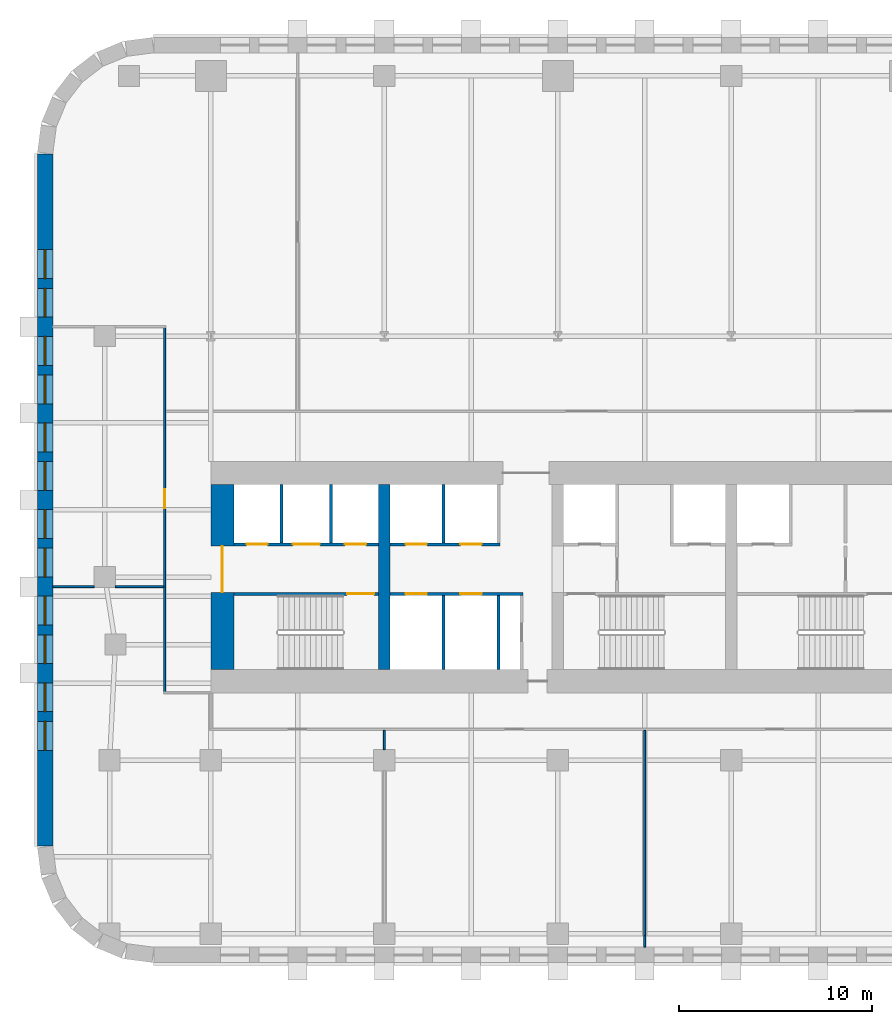
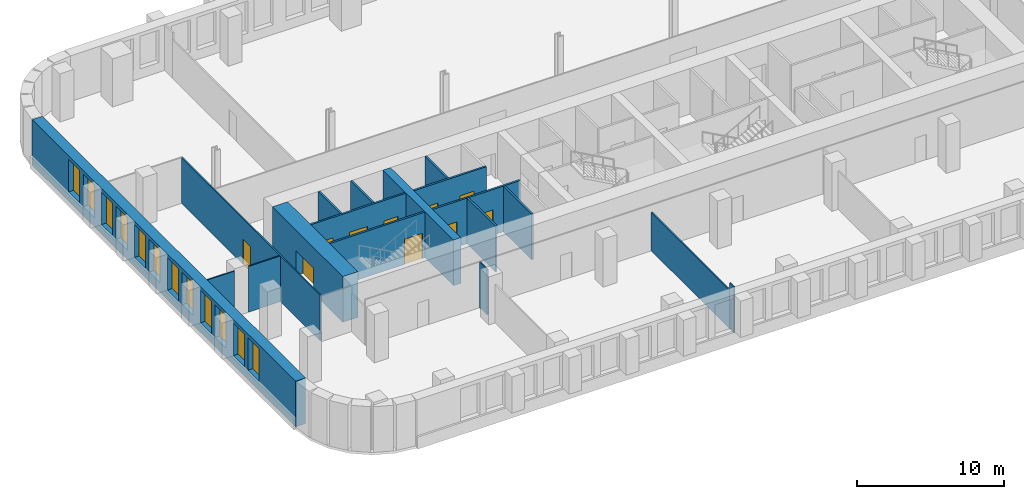
# One storey, part 3 of 11: 18 walls, 12 windows, 10 doors, 22 openings.
"""IFC4 building model written with IfcOpenShell, lengths in metres."""

from ifc_helpers import new_model, si_unit, direction, frame, frame_2d, origin, place, context, subcontext, project, spatial, rectangle, extrude, material, layer, layer_set, type_object, element, fill, save


model = new_model("IFC4")

# Units and contexts
model_context = context("Model", 3, precision=1e-05, world=origin(), true_north=direction((0.0, 1.0)))
body_context = subcontext(model_context, "Body", "Model", "MODEL_VIEW")
ifc_project = project(units=[si_unit("LENGTHUNIT", "METRE"), si_unit("AREAUNIT", "SQUARE_METRE"), si_unit("VOLUMEUNIT", "CUBIC_METRE"), si_unit("PLANEANGLEUNIT", "RADIAN"), si_unit("MASSUNIT", "GRAM", prefix="KILO")], contexts=[model_context])

# Site, building, storey
site_placement = place(None, origin())
site = spatial("IfcSite", under=ifc_project, at=site_placement, CompositionType="ELEMENT")
building_placement = place(site_placement, origin())
building = spatial("IfcBuilding", under=site, at=building_placement, Name="Zellij Exchange Tower", CompositionType="ELEMENT")
storey_placement = place(building_placement, frame((0.0, 0.0, 56.5)))
storey = spatial("IfcBuildingStorey", under=building, at=storey_placement, Name="L10", CompositionType="ELEMENT", Elevation=56.5)

# Walls
ifc_material_1 = material(Name="Concrete C70/85", Category="concrete")
ifc_layer_1 = layer(ifc_material_1, 0.60009765625)
ifc_layer_set_1 = layer_set([ifc_layer_1], Name="Concrete C70/85")
wall_type_1 = type_object("IfcWallType", Name="CORE-CW 600 C70/85", PredefinedType="SHEAR", material=ifc_layer_set_1)
wall_1_placement = place(storey_placement, frame((-18.0, -12.800048828125, 0.0), z_axis=(0.0, 0.0, 1.0), x_axis=(0.0, 1.0, 0.0)))
element("IfcWall", 1, at=wall_1_placement, inside=storey, type_object=wall_type_1, Name="Core cross wall x -18 L10", PredefinedType="SHEAR", context=body_context, shape_type="SweptSolid", body=[
    extrude(rectangle(XDim=9.60009765625, YDim=0.60009765625, at=frame_2d((4.800048828125, 0.0))), origin(), (0.0, 0.0, 1.0), 3.800048828125),
])
ifc_material_2 = material(Name="Gypsum shaft wall system")
ifc_layer_2 = layer(ifc_material_2, 0.14990234375)
ifc_layer_set_2 = layer_set([ifc_layer_2], Name="Gypsum shaft wall system")
wall_type_2 = type_object("IfcWallType", Name="CORE-PW 150 Lift shaft wall", PredefinedType="PARTITIONING", material=ifc_layer_set_2)
for number, where, z_axis, x_axis, name in (
    (2, (-20.77490234375, -6.22509765625, 0.0), (0.0, 0.0, 1.0), (0.0, 1.0, 0.0), "Lift shaft wall L10"),
    (3, (-23.324951171875, -6.22509765625, 0.0), (0.0, 0.0, 1.0), (0.0, 1.0, 0.0), "Lift shaft wall L10"),
    (4, (-14.925048828125, -6.22509765625, 0.0), (0.0, 0.0, 1.0), (0.0, 1.0, 0.0), "Lift shaft wall L10"),
):
    element("IfcWall", number, at=place(storey_placement, frame(where, z_axis=z_axis, x_axis=x_axis)), inside=storey, type_object=wall_type_2, Name=name, PredefinedType="PARTITIONING", context=body_context, shape_type="SweptSolid", body=[
        extrude(rectangle(XDim=3.025146484375, YDim=0.14990234375, at=frame_2d((1.5126953125, 0.0))), origin(), (0.0, 0.0, 1.0), 3.800048828125),
    ])
for number, where, z_axis, x_axis, name in (
    (5, (-12.074951171875, -12.800048828125, 0.0), (0.0, 0.0, 1.0), (0.0, 1.0, 0.0), "Lift shaft wall L10"),
    (6, (-14.925048828125, -12.800048828125, 0.0), (0.0, 0.0, 1.0), (0.0, 1.0, 0.0), "Lift shaft wall L10"),
):
    element("IfcWall", number, at=place(storey_placement, frame(where, z_axis=z_axis, x_axis=x_axis)), inside=storey, type_object=wall_type_2, Name=name, PredefinedType="PARTITIONING", context=body_context, shape_type="SweptSolid", body=[
        extrude(rectangle(XDim=3.85009765625, YDim=0.14990234375, at=frame_2d((1.925048828125, 0.0))), origin(), (0.0, 0.0, 1.0), 3.800048828125),
    ])

# Wall, openings, doors
wall_2_placement = place(storey_placement, frame((-25.800048828125, -6.300048828125, 0.0), z_axis=(0.0, 0.0, 1.0), x_axis=(1.0, 0.0, 0.0)))
wall_2 = element("IfcWall", 7, at=wall_2_placement, inside=storey, type_object=wall_type_2, Name="Lift shaft wall L10", PredefinedType="PARTITIONING", context=body_context, shape_type="SweptSolid", body=[
    extrude(rectangle(XDim=7.5, YDim=0.14990234375, at=frame_2d((3.75, 0.0))), origin(), (0.0, 0.0, 1.0), 3.800048828125),
])
opening_1_placement = place(wall_2_placement, frame((0.64990234375, 0.0, 0.0)))
opening_1 = element("IfcOpeningElement", 8, at=opening_1_placement, cuts=wall_2, Name="Opening CA-07.02", PredefinedType="OPENING", context=body_context, shape_type="SweptSolid", body=[
    extrude(rectangle(XDim=1.10009765625, YDim=2.10009765625, at=frame_2d((0.550048828125, 1.050048828125))), frame((0.0, 0.0869140625, 0.0), z_axis=(0.0, -1.0, 0.0), x_axis=(1.0, 0.0, 0.0)), (0.0, 0.0, 1.0), 0.173828125),
])
opening_2_placement = place(wall_2_placement, frame((3.050048828125, 0.0, 0.0)))
opening_2 = element("IfcOpeningElement", 9, at=opening_2_placement, cuts=wall_2, Name="Opening CA-07.03", PredefinedType="OPENING", context=body_context, shape_type="SweptSolid", body=[
    extrude(rectangle(XDim=1.39990234375, YDim=2.10009765625, at=frame_2d((0.699951171875, 1.050048828125))), frame((0.0, 0.0869140625, 0.0), z_axis=(0.0, -1.0, 0.0), x_axis=(1.0, 0.0, 0.0)), (0.0, 0.0, 1.0), 0.173828125),
])
opening_3_placement = place(wall_2_placement, frame((5.75, 0.0, 0.0)))
opening_3 = element("IfcOpeningElement", 10, at=opening_3_placement, cuts=wall_2, Name="Opening CA-07.04", PredefinedType="OPENING", context=body_context, shape_type="SweptSolid", body=[
    extrude(rectangle(XDim=1.10009765625, YDim=2.10009765625, at=frame_2d((0.550048828125, 1.050048828125))), frame((0.0, 0.0869140625, 0.0), z_axis=(0.0, -1.0, 0.0), x_axis=(1.0, 0.0, 0.0)), (0.0, 0.0, 1.0), 0.173828125),
])
ifc_material_3 = material(Name="Hollow metal fire door")
door_type_1 = type_object("IfcDoorType", Name="CORE-D LD Lift landing door 1100x2100 1.5 HR", OperationType="NOTDEFINED", PredefinedType="DOOR", material=ifc_material_3)
door_1_placement = place(opening_1_placement, origin())
door_1 = element("IfcDoor", 11, at=door_1_placement, inside=storey, type_object=door_type_1, Name="Lift landing door CA-07.02", OperationType="SLIDING_TO_RIGHT", OverallHeight=2.10009765625, OverallWidth=1.10009765625, PredefinedType="DOOR", context=body_context, shape_type="SweptSolid", body=[
    extrude(rectangle(XDim=1.10009765625, YDim=2.10009765625, at=frame_2d((0.550048828125, 1.050048828125))), frame((0.0, 0.02490234375, 0.0), z_axis=(0.0, -1.0, 0.0), x_axis=(1.0, 0.0, 0.0)), (0.0, 0.0, 1.0), 0.050048828125),
])
fill(opening_1, door_1)
door_2_placement = place(opening_3_placement, origin())
door_2 = element("IfcDoor", 12, at=door_2_placement, inside=storey, type_object=door_type_1, Name="Lift landing door CA-07.04", OperationType="SLIDING_TO_RIGHT", OverallHeight=2.10009765625, OverallWidth=1.10009765625, PredefinedType="DOOR", context=body_context, shape_type="SweptSolid", body=[
    extrude(rectangle(XDim=1.10009765625, YDim=2.10009765625, at=frame_2d((0.550048828125, 1.050048828125))), frame((0.0, 0.02490234375, 0.0), z_axis=(0.0, -1.0, 0.0), x_axis=(1.0, 0.0, 0.0)), (0.0, 0.0, 1.0), 0.050048828125),
])
fill(opening_3, door_2)
door_type_2 = type_object("IfcDoorType", Name="CORE-D LD2 Service lift landing door 1400x2100 1.5 HR", OperationType="NOTDEFINED", PredefinedType="DOOR", material=ifc_material_3)
door_3_placement = place(opening_2_placement, origin())
door_3 = element("IfcDoor", 13, at=door_3_placement, inside=storey, type_object=door_type_2, Name="Service lift landing door CA-07.03", OperationType="SLIDING_TO_LEFT", OverallHeight=2.10009765625, OverallWidth=1.39990234375, PredefinedType="DOOR", context=body_context, shape_type="SweptSolid", body=[
    extrude(rectangle(XDim=1.39990234375, YDim=2.10009765625, at=frame_2d((0.699951171875, 1.050048828125))), frame((0.0, 0.02490234375, 0.0), z_axis=(0.0, -1.0, 0.0), x_axis=(1.0, 0.0, 0.0)), (0.0, 0.0, 1.0), 0.050048828125),
])
fill(opening_2, door_3)

wall_3_placement = place(storey_placement, frame((-17.699951171875, -6.300048828125, 0.0), z_axis=(0.0, 0.0, 1.0), x_axis=(1.0, 0.0, 0.0)))
wall_3 = element("IfcWall", 14, at=wall_3_placement, inside=storey, type_object=wall_type_2, Name="Lift shaft wall L10", PredefinedType="PARTITIONING", context=body_context, shape_type="SweptSolid", body=[
    extrude(rectangle(XDim=5.699951171875, YDim=0.14990234375, at=frame_2d((2.85009765625, 0.0))), origin(), (0.0, 0.0, 1.0), 3.800048828125),
])
opening_4_placement = place(wall_3_placement, frame((0.800048828125, 0.0, 0.0)))
opening_4 = element("IfcOpeningElement", 15, at=opening_4_placement, cuts=wall_3, Name="Opening CA-07.07", PredefinedType="OPENING", context=body_context, shape_type="SweptSolid", body=[
    extrude(rectangle(XDim=1.10009765625, YDim=2.10009765625, at=frame_2d((0.550048828125, 1.050048828125))), frame((0.0, 0.0869140625, 0.0), z_axis=(0.0, -1.0, 0.0), x_axis=(1.0, 0.0, 0.0)), (0.0, 0.0, 1.0), 0.173828125),
])
opening_5_placement = place(wall_3_placement, frame((3.64990234375, 0.0, 0.0)))
opening_5 = element("IfcOpeningElement", 16, at=opening_5_placement, cuts=wall_3, Name="Opening CA-07.09", PredefinedType="OPENING", context=body_context, shape_type="SweptSolid", body=[
    extrude(rectangle(XDim=1.10009765625, YDim=2.10009765625, at=frame_2d((0.550048828125, 1.050048828125))), frame((0.0, 0.0869140625, 0.0), z_axis=(0.0, -1.0, 0.0), x_axis=(1.0, 0.0, 0.0)), (0.0, 0.0, 1.0), 0.173828125),
])
door_4_placement = place(opening_4_placement, origin())
door_4 = element("IfcDoor", 17, at=door_4_placement, inside=storey, type_object=door_type_1, Name="Lift landing door CA-07.07", OperationType="SLIDING_TO_LEFT", OverallHeight=2.10009765625, OverallWidth=1.10009765625, PredefinedType="DOOR", context=body_context, shape_type="SweptSolid", body=[
    extrude(rectangle(XDim=1.10009765625, YDim=2.10009765625, at=frame_2d((0.550048828125, 1.050048828125))), frame((0.0, 0.02490234375, 0.0), z_axis=(0.0, -1.0, 0.0), x_axis=(1.0, 0.0, 0.0)), (0.0, 0.0, 1.0), 0.050048828125),
])
fill(opening_4, door_4)
door_5_placement = place(opening_5_placement, origin())
door_5 = element("IfcDoor", 18, at=door_5_placement, inside=storey, type_object=door_type_1, Name="Lift landing door CA-07.09", OperationType="SLIDING_TO_LEFT", OverallHeight=2.10009765625, OverallWidth=1.10009765625, PredefinedType="DOOR", context=body_context, shape_type="SweptSolid", body=[
    extrude(rectangle(XDim=1.10009765625, YDim=2.10009765625, at=frame_2d((0.550048828125, 1.050048828125))), frame((0.0, 0.02490234375, 0.0), z_axis=(0.0, -1.0, 0.0), x_axis=(1.0, 0.0, 0.0)), (0.0, 0.0, 1.0), 0.050048828125),
])
fill(opening_5, door_5)

wall_4_placement = place(storey_placement, frame((-17.699951171875, -8.875, 0.0), z_axis=(0.0, 0.0, 1.0), x_axis=(1.0, 0.0, 0.0)))
wall_4 = element("IfcWall", 19, at=wall_4_placement, inside=storey, type_object=wall_type_2, Name="Lift shaft wall L10", PredefinedType="PARTITIONING", context=body_context, shape_type="SweptSolid", body=[
    extrude(rectangle(XDim=6.89990234375, YDim=0.14990234375, at=frame_2d((3.449951171875, 0.0))), origin(), (0.0, 0.0, 1.0), 3.800048828125),
])
opening_6_placement = place(wall_4_placement, frame((0.800048828125, 0.0, 0.0)))
opening_6 = element("IfcOpeningElement", 20, at=opening_6_placement, cuts=wall_4, Name="Opening CA-07.06", PredefinedType="OPENING", context=body_context, shape_type="SweptSolid", body=[
    extrude(rectangle(XDim=1.10009765625, YDim=2.10009765625, at=frame_2d((0.550048828125, 1.050048828125))), frame((0.0, 0.0869140625, 0.0), z_axis=(0.0, -1.0, 0.0), x_axis=(1.0, 0.0, 0.0)), (0.0, 0.0, 1.0), 0.173828125),
])
opening_7_placement = place(wall_4_placement, frame((3.64990234375, 0.0, 0.0)))
opening_7 = element("IfcOpeningElement", 21, at=opening_7_placement, cuts=wall_4, Name="Opening CA-07.08", PredefinedType="OPENING", context=body_context, shape_type="SweptSolid", body=[
    extrude(rectangle(XDim=1.10009765625, YDim=2.10009765625, at=frame_2d((0.550048828125, 1.050048828125))), frame((0.0, 0.0869140625, 0.0), z_axis=(0.0, -1.0, 0.0), x_axis=(1.0, 0.0, 0.0)), (0.0, 0.0, 1.0), 0.173828125),
])
door_6_placement = place(opening_6_placement, origin())
door_6 = element("IfcDoor", 22, at=door_6_placement, inside=storey, type_object=door_type_1, Name="Lift landing door CA-07.06", OperationType="SLIDING_TO_RIGHT", OverallHeight=2.10009765625, OverallWidth=1.10009765625, PredefinedType="DOOR", context=body_context, shape_type="SweptSolid", body=[
    extrude(rectangle(XDim=1.10009765625, YDim=2.10009765625, at=frame_2d((0.550048828125, 1.050048828125))), frame((0.0, 0.02490234375, 0.0), z_axis=(0.0, -1.0, 0.0), x_axis=(1.0, 0.0, 0.0)), (0.0, 0.0, 1.0), 0.050048828125),
])
fill(opening_6, door_6)
door_7_placement = place(opening_7_placement, origin())
door_7 = element("IfcDoor", 23, at=door_7_placement, inside=storey, type_object=door_type_1, Name="Lift landing door CA-07.08", OperationType="SLIDING_TO_RIGHT", OverallHeight=2.10009765625, OverallWidth=1.10009765625, PredefinedType="DOOR", context=body_context, shape_type="SweptSolid", body=[
    extrude(rectangle(XDim=1.10009765625, YDim=2.10009765625, at=frame_2d((0.550048828125, 1.050048828125))), frame((0.0, 0.02490234375, 0.0), z_axis=(0.0, -1.0, 0.0), x_axis=(1.0, 0.0, 0.0)), (0.0, 0.0, 1.0), 0.050048828125),
])
fill(opening_7, door_7)

# Wall, opening, door
ifc_layer_3 = layer(ifc_material_1, 1.199951171875)
ifc_layer_set_3 = layer_set([ifc_layer_3], Name="Concrete C70/85")
wall_type_3 = type_object("IfcWallType", Name="CORE-SW 1200 C70/85", PredefinedType="SHEAR", material=ifc_layer_set_3)
wall_5_placement = place(storey_placement, frame((-26.39990234375, -12.800048828125, 0.0), z_axis=(0.0, 0.0, 1.0), x_axis=(0.0, 1.0, 0.0)))
wall_5 = element("IfcWall", 24, at=wall_5_placement, inside=storey, type_object=wall_type_3, Name="Core shear wall end w L10", PredefinedType="SHEAR", context=body_context, shape_type="SweptSolid", body=[
    extrude(rectangle(XDim=9.60009765625, YDim=1.199951171875, at=frame_2d((4.800048828125, 0.0))), origin(), (0.0, 0.0, 1.0), 3.800048828125),
])
opening_8_placement = place(wall_5_placement, frame((4.011962890625, 0.0, 0.0)))
opening_8 = element("IfcOpeningElement", 25, at=opening_8_placement, cuts=wall_5, Name="Opening CA-07.01", PredefinedType="OPENING", context=body_context, shape_type="SweptSolid", body=[
    extrude(rectangle(XDim=2.39990234375, YDim=2.10009765625, at=frame_2d((1.199951171875, 1.050048828125))), frame((0.0, 0.61181640625, 0.0), z_axis=(0.0, -1.0, 0.0), x_axis=(1.0, 0.0, 0.0)), (0.0, 0.0, 1.0), 1.223876953125),
])
door_type_3 = type_object("IfcDoorType", Name="CORE-D CE Core entrance door 2400x2100 20 MIN", OperationType="NOTDEFINED", PredefinedType="DOOR", material=ifc_material_3)
door_8_placement = place(opening_8_placement, origin())
door_8 = element("IfcDoor", 26, at=door_8_placement, inside=storey, type_object=door_type_3, Name="Core entrance door CA-07.01", OperationType="DOUBLE_DOOR_SINGLE_SWING", OverallHeight=2.10009765625, OverallWidth=2.39990234375, PredefinedType="DOOR", context=body_context, shape_type="SweptSolid", body=[
    extrude(rectangle(XDim=2.39990234375, YDim=2.10009765625, at=frame_2d((1.199951171875, 1.050048828125))), frame((0.0, 0.02490234375, 0.0), z_axis=(0.0, -1.0, 0.0), x_axis=(1.0, 0.0, 0.0)), (0.0, 0.0, 1.0), 0.050048828125),
])
fill(opening_8, door_8)

ifc_layer_4 = layer(ifc_material_1, 0.14990234375)
ifc_layer_set_4 = layer_set([ifc_layer_4], Name="Concrete C70/85")
wall_type_4 = type_object("IfcWallType", Name="CORE-SWS 150 C70/85", PredefinedType="SHEAR", material=ifc_layer_set_4)
wall_6_placement = place(storey_placement, frame((-25.800048828125, -8.875, 0.0), z_axis=(0.0, 0.0, 1.0), x_axis=(1.0, 0.0, 0.0)))
wall_6 = element("IfcWall", 27, at=wall_6_placement, inside=storey, type_object=wall_type_4, Name="Stair enclosure wall L10", PredefinedType="SHEAR", context=body_context, shape_type="SweptSolid", body=[
    extrude(rectangle(XDim=7.5, YDim=0.14990234375, at=frame_2d((3.75, 0.0))), origin(), (0.0, 0.0, 1.0), 3.800048828125),
])
opening_9_placement = place(wall_6_placement, frame((5.875, 0.0, 0.0)))
opening_9 = element("IfcOpeningElement", 28, at=opening_9_placement, cuts=wall_6, Name="Opening CA-07.05", PredefinedType="OPENING", context=body_context, shape_type="SweptSolid", body=[
    extrude(rectangle(XDim=1.39990234375, YDim=2.10009765625, at=frame_2d((0.699951171875, 1.050048828125))), frame((0.0, 0.0869140625, 0.0), z_axis=(0.0, -1.0, 0.0), x_axis=(1.0, 0.0, 0.0)), (0.0, 0.0, 1.0), 0.173828125),
])
door_type_4 = type_object("IfcDoorType", Name="CORE-D SD Stair door 1400x2100 1.5 HR", OperationType="NOTDEFINED", PredefinedType="DOOR", material=ifc_material_3)
door_9_placement = place(opening_9_placement, origin())
door_9 = element("IfcDoor", 29, at=door_9_placement, inside=storey, type_object=door_type_4, Name="Stair door CA-07.05", OperationType="DOUBLE_DOOR_SINGLE_SWING", OverallHeight=2.10009765625, OverallWidth=1.39990234375, PredefinedType="DOOR", context=body_context, shape_type="SweptSolid", body=[
    extrude(rectangle(XDim=1.39990234375, YDim=2.10009765625, at=frame_2d((0.699951171875, 1.050048828125))), frame((0.0, 0.02490234375, 0.0), z_axis=(0.0, -1.0, 0.0), x_axis=(1.0, 0.0, 0.0)), (0.0, 0.0, 1.0), 0.050048828125),
])
fill(opening_9, door_9)

# Wall, openings, windows
ifc_material_4 = material(Name="Precast concrete C40/50", Category="concrete")
ifc_layer_5 = layer(ifc_material_4, 0.800048828125)
ifc_layer_set_5 = layer_set([ifc_layer_5], Name="Precast concrete C40/50")
wall_type_5 = type_object("IfcWallType", Name="ENV-EW1 Precast stone-piered wall 800", PredefinedType="SOLIDWALL", material=ifc_layer_set_5)
wall_7_placement = place(storey_placement, frame((-35.60009765625, 13.947509765625, 0.0), z_axis=(0.0, 0.0, 1.0), x_axis=(0.0, -1.0, 0.0)))
wall_7 = element("IfcWall", 30, at=wall_7_placement, inside=storey, type_object=wall_type_5, Name="fac.L10.21", PredefinedType="SOLIDWALL", context=body_context, shape_type="SweptSolid", body=[
    extrude(rectangle(XDim=35.89501953125, YDim=0.800048828125, at=frame_2d((17.947509765625, 0.0))), origin(), (0.0, 0.0, 1.0), 3.800048828125),
])
opening_10_placement = place(wall_7_placement, frame((4.9638671875, 0.0, 0.800048828125)))
opening_10 = element("IfcOpeningElement", 31, at=opening_10_placement, cuts=wall_7, Name="Opening FZ1.61", PredefinedType="OPENING", context=body_context, shape_type="SweptSolid", body=[
    extrude(rectangle(XDim=1.5, YDim=2.699951171875, at=frame_2d((0.75, 1.35009765625))), frame((0.0, 0.412109375, 0.0), z_axis=(0.0, -1.0, 0.0), x_axis=(1.0, 0.0, 0.0)), (0.0, 0.0, 1.0), 0.823974609375),
])
opening_11_placement = place(wall_7_placement, frame((6.9638671875, 0.0, 0.800048828125)))
opening_11 = element("IfcOpeningElement", 32, at=opening_11_placement, cuts=wall_7, Name="Opening FZ1.62", PredefinedType="OPENING", context=body_context, shape_type="SweptSolid", body=[
    extrude(rectangle(XDim=1.5, YDim=2.699951171875, at=frame_2d((0.75, 1.35009765625))), frame((0.0, 0.412109375, 0.0), z_axis=(0.0, -1.0, 0.0), x_axis=(1.0, 0.0, 0.0)), (0.0, 0.0, 1.0), 0.823974609375),
])
opening_12_placement = place(wall_7_placement, frame((9.45751953125, 0.0, 0.800048828125)))
opening_12 = element("IfcOpeningElement", 33, at=opening_12_placement, cuts=wall_7, Name="Opening FZ1.63", PredefinedType="OPENING", context=body_context, shape_type="SweptSolid", body=[
    extrude(rectangle(XDim=1.5, YDim=2.699951171875, at=frame_2d((0.75, 1.35009765625))), frame((0.0, 0.412109375, 0.0), z_axis=(0.0, -1.0, 0.0), x_axis=(1.0, 0.0, 0.0)), (0.0, 0.0, 1.0), 0.823974609375),
])
opening_13_placement = place(wall_7_placement, frame((11.45751953125, 0.0, 0.800048828125)))
opening_13 = element("IfcOpeningElement", 34, at=opening_13_placement, cuts=wall_7, Name="Opening FZ1.64", PredefinedType="OPENING", context=body_context, shape_type="SweptSolid", body=[
    extrude(rectangle(XDim=1.5, YDim=2.699951171875, at=frame_2d((0.75, 1.35009765625))), frame((0.0, 0.412109375, 0.0), z_axis=(0.0, -1.0, 0.0), x_axis=(1.0, 0.0, 0.0)), (0.0, 0.0, 1.0), 0.823974609375),
])
opening_14_placement = place(wall_7_placement, frame((13.950927734375, 0.0, 0.800048828125)))
opening_14 = element("IfcOpeningElement", 35, at=opening_14_placement, cuts=wall_7, Name="Opening FZ1.65", PredefinedType="OPENING", context=body_context, shape_type="SweptSolid", body=[
    extrude(rectangle(XDim=1.5, YDim=2.699951171875, at=frame_2d((0.75, 1.35009765625))), frame((0.0, 0.412109375, 0.0), z_axis=(0.0, -1.0, 0.0), x_axis=(1.0, 0.0, 0.0)), (0.0, 0.0, 1.0), 0.823974609375),
])
opening_15_placement = place(wall_7_placement, frame((15.95068359375, 0.0, 0.800048828125)))
opening_15 = element("IfcOpeningElement", 36, at=opening_15_placement, cuts=wall_7, Name="Opening FZ1.66", PredefinedType="OPENING", context=body_context, shape_type="SweptSolid", body=[
    extrude(rectangle(XDim=1.5, YDim=2.699951171875, at=frame_2d((0.75, 1.35009765625))), frame((0.0, 0.412109375, 0.0), z_axis=(0.0, -1.0, 0.0), x_axis=(1.0, 0.0, 0.0)), (0.0, 0.0, 1.0), 0.823974609375),
])
opening_16_placement = place(wall_7_placement, frame((18.4443359375, 0.0, 0.800048828125)))
opening_16 = element("IfcOpeningElement", 37, at=opening_16_placement, cuts=wall_7, Name="Opening FZ1.67", PredefinedType="OPENING", context=body_context, shape_type="SweptSolid", body=[
    extrude(rectangle(XDim=1.5, YDim=2.699951171875, at=frame_2d((0.75, 1.35009765625))), frame((0.0, 0.412109375, 0.0), z_axis=(0.0, -1.0, 0.0), x_axis=(1.0, 0.0, 0.0)), (0.0, 0.0, 1.0), 0.823974609375),
])
opening_17_placement = place(wall_7_placement, frame((20.4443359375, 0.0, 0.800048828125)))
opening_17 = element("IfcOpeningElement", 38, at=opening_17_placement, cuts=wall_7, Name="Opening FZ1.68", PredefinedType="OPENING", context=body_context, shape_type="SweptSolid", body=[
    extrude(rectangle(XDim=1.5, YDim=2.699951171875, at=frame_2d((0.75, 1.35009765625))), frame((0.0, 0.412109375, 0.0), z_axis=(0.0, -1.0, 0.0), x_axis=(1.0, 0.0, 0.0)), (0.0, 0.0, 1.0), 0.823974609375),
])
opening_18_placement = place(wall_7_placement, frame((22.937744140625, 0.0, 0.800048828125)))
opening_18 = element("IfcOpeningElement", 39, at=opening_18_placement, cuts=wall_7, Name="Opening FZ1.69", PredefinedType="OPENING", context=body_context, shape_type="SweptSolid", body=[
    extrude(rectangle(XDim=1.5, YDim=2.699951171875, at=frame_2d((0.75, 1.35009765625))), frame((0.0, 0.412109375, 0.0), z_axis=(0.0, -1.0, 0.0), x_axis=(1.0, 0.0, 0.0)), (0.0, 0.0, 1.0), 0.823974609375),
])
opening_19_placement = place(wall_7_placement, frame((24.937744140625, 0.0, 0.800048828125)))
opening_19 = element("IfcOpeningElement", 40, at=opening_19_placement, cuts=wall_7, Name="Opening FZ1.70", PredefinedType="OPENING", context=body_context, shape_type="SweptSolid", body=[
    extrude(rectangle(XDim=1.5, YDim=2.699951171875, at=frame_2d((0.75, 1.35009765625))), frame((0.0, 0.412109375, 0.0), z_axis=(0.0, -1.0, 0.0), x_axis=(1.0, 0.0, 0.0)), (0.0, 0.0, 1.0), 0.823974609375),
])
opening_20_placement = place(wall_7_placement, frame((27.43115234375, 0.0, 0.800048828125)))
opening_20 = element("IfcOpeningElement", 41, at=opening_20_placement, cuts=wall_7, Name="Opening FZ1.71", PredefinedType="OPENING", context=body_context, shape_type="SweptSolid", body=[
    extrude(rectangle(XDim=1.5, YDim=2.699951171875, at=frame_2d((0.75, 1.35009765625))), frame((0.0, 0.412109375, 0.0), z_axis=(0.0, -1.0, 0.0), x_axis=(1.0, 0.0, 0.0)), (0.0, 0.0, 1.0), 0.823974609375),
])
opening_21_placement = place(wall_7_placement, frame((29.43115234375, 0.0, 0.800048828125)))
opening_21 = element("IfcOpeningElement", 42, at=opening_21_placement, cuts=wall_7, Name="Opening FZ1.72", PredefinedType="OPENING", context=body_context, shape_type="SweptSolid", body=[
    extrude(rectangle(XDim=1.5, YDim=2.699951171875, at=frame_2d((0.75, 1.35009765625))), frame((0.0, 0.412109375, 0.0), z_axis=(0.0, -1.0, 0.0), x_axis=(1.0, 0.0, 0.0)), (0.0, 0.0, 1.0), 0.823974609375),
])
ifc_material_5 = material(Name="Aluminium frame with insulating glass", Category="aluminium")
window_type = type_object("IfcWindowType", Name="ENV-W6 Window 1500x2700", PartitioningType="SINGLE_PANEL", PredefinedType="WINDOW", material=ifc_material_5)
window_1_placement = place(opening_10_placement, origin())
window_1 = element("IfcWindow", 43, at=window_1_placement, inside=storey, type_object=window_type, Name="Window FZ1.61", OverallHeight=2.699951171875, OverallWidth=1.5, PartitioningType="SINGLE_PANEL", PredefinedType="WINDOW", context=body_context, shape_type="SweptSolid", body=[
    extrude(rectangle(XDim=1.5, YDim=2.699951171875, at=frame_2d((0.75, 1.35009765625))), frame((0.0, 0.030029296875, 0.0), z_axis=(0.0, -1.0, 0.0), x_axis=(1.0, 0.0, 0.0)), (0.0, 0.0, 1.0), 0.06005859375),
])
fill(opening_10, window_1)
window_2_placement = place(opening_11_placement, origin())
window_2 = element("IfcWindow", 44, at=window_2_placement, inside=storey, type_object=window_type, Name="Window FZ1.62", OverallHeight=2.699951171875, OverallWidth=1.5, PartitioningType="SINGLE_PANEL", PredefinedType="WINDOW", context=body_context, shape_type="SweptSolid", body=[
    extrude(rectangle(XDim=1.5, YDim=2.699951171875, at=frame_2d((0.75, 1.35009765625))), frame((0.0, 0.030029296875, 0.0), z_axis=(0.0, -1.0, 0.0), x_axis=(1.0, 0.0, 0.0)), (0.0, 0.0, 1.0), 0.06005859375),
])
fill(opening_11, window_2)
window_3_placement = place(opening_12_placement, origin())
window_3 = element("IfcWindow", 45, at=window_3_placement, inside=storey, type_object=window_type, Name="Window FZ1.63", OverallHeight=2.699951171875, OverallWidth=1.5, PartitioningType="SINGLE_PANEL", PredefinedType="WINDOW", context=body_context, shape_type="SweptSolid", body=[
    extrude(rectangle(XDim=1.5, YDim=2.699951171875, at=frame_2d((0.75, 1.35009765625))), frame((0.0, 0.030029296875, 0.0), z_axis=(0.0, -1.0, 0.0), x_axis=(1.0, 0.0, 0.0)), (0.0, 0.0, 1.0), 0.06005859375),
])
fill(opening_12, window_3)
window_4_placement = place(opening_13_placement, origin())
window_4 = element("IfcWindow", 46, at=window_4_placement, inside=storey, type_object=window_type, Name="Window FZ1.64", OverallHeight=2.699951171875, OverallWidth=1.5, PartitioningType="SINGLE_PANEL", PredefinedType="WINDOW", context=body_context, shape_type="SweptSolid", body=[
    extrude(rectangle(XDim=1.5, YDim=2.699951171875, at=frame_2d((0.75, 1.35009765625))), frame((0.0, 0.030029296875, 0.0), z_axis=(0.0, -1.0, 0.0), x_axis=(1.0, 0.0, 0.0)), (0.0, 0.0, 1.0), 0.06005859375),
])
fill(opening_13, window_4)
window_5_placement = place(opening_14_placement, origin())
window_5 = element("IfcWindow", 47, at=window_5_placement, inside=storey, type_object=window_type, Name="Window FZ1.65", OverallHeight=2.699951171875, OverallWidth=1.5, PartitioningType="SINGLE_PANEL", PredefinedType="WINDOW", context=body_context, shape_type="SweptSolid", body=[
    extrude(rectangle(XDim=1.5, YDim=2.699951171875, at=frame_2d((0.75, 1.35009765625))), frame((0.0, 0.030029296875, 0.0), z_axis=(0.0, -1.0, 0.0), x_axis=(1.0, 0.0, 0.0)), (0.0, 0.0, 1.0), 0.06005859375),
])
fill(opening_14, window_5)
window_6_placement = place(opening_15_placement, origin())
window_6 = element("IfcWindow", 48, at=window_6_placement, inside=storey, type_object=window_type, Name="Window FZ1.66", OverallHeight=2.699951171875, OverallWidth=1.5, PartitioningType="SINGLE_PANEL", PredefinedType="WINDOW", context=body_context, shape_type="SweptSolid", body=[
    extrude(rectangle(XDim=1.5, YDim=2.699951171875, at=frame_2d((0.75, 1.35009765625))), frame((0.0, 0.030029296875, 0.0), z_axis=(0.0, -1.0, 0.0), x_axis=(1.0, 0.0, 0.0)), (0.0, 0.0, 1.0), 0.06005859375),
])
fill(opening_15, window_6)
window_7_placement = place(opening_16_placement, origin())
window_7 = element("IfcWindow", 49, at=window_7_placement, inside=storey, type_object=window_type, Name="Window FZ1.67", OverallHeight=2.699951171875, OverallWidth=1.5, PartitioningType="SINGLE_PANEL", PredefinedType="WINDOW", context=body_context, shape_type="SweptSolid", body=[
    extrude(rectangle(XDim=1.5, YDim=2.699951171875, at=frame_2d((0.75, 1.35009765625))), frame((0.0, 0.030029296875, 0.0), z_axis=(0.0, -1.0, 0.0), x_axis=(1.0, 0.0, 0.0)), (0.0, 0.0, 1.0), 0.06005859375),
])
fill(opening_16, window_7)
window_8_placement = place(opening_17_placement, origin())
window_8 = element("IfcWindow", 50, at=window_8_placement, inside=storey, type_object=window_type, Name="Window FZ1.68", OverallHeight=2.699951171875, OverallWidth=1.5, PartitioningType="SINGLE_PANEL", PredefinedType="WINDOW", context=body_context, shape_type="SweptSolid", body=[
    extrude(rectangle(XDim=1.5, YDim=2.699951171875, at=frame_2d((0.75, 1.35009765625))), frame((0.0, 0.030029296875, 0.0), z_axis=(0.0, -1.0, 0.0), x_axis=(1.0, 0.0, 0.0)), (0.0, 0.0, 1.0), 0.06005859375),
])
fill(opening_17, window_8)
window_9_placement = place(opening_18_placement, origin())
window_9 = element("IfcWindow", 51, at=window_9_placement, inside=storey, type_object=window_type, Name="Window FZ1.69", OverallHeight=2.699951171875, OverallWidth=1.5, PartitioningType="SINGLE_PANEL", PredefinedType="WINDOW", context=body_context, shape_type="SweptSolid", body=[
    extrude(rectangle(XDim=1.5, YDim=2.699951171875, at=frame_2d((0.75, 1.35009765625))), frame((0.0, 0.030029296875, 0.0), z_axis=(0.0, -1.0, 0.0), x_axis=(1.0, 0.0, 0.0)), (0.0, 0.0, 1.0), 0.06005859375),
])
fill(opening_18, window_9)
window_10_placement = place(opening_19_placement, origin())
window_10 = element("IfcWindow", 52, at=window_10_placement, inside=storey, type_object=window_type, Name="Window FZ1.70", OverallHeight=2.699951171875, OverallWidth=1.5, PartitioningType="SINGLE_PANEL", PredefinedType="WINDOW", context=body_context, shape_type="SweptSolid", body=[
    extrude(rectangle(XDim=1.5, YDim=2.699951171875, at=frame_2d((0.75, 1.35009765625))), frame((0.0, 0.030029296875, 0.0), z_axis=(0.0, -1.0, 0.0), x_axis=(1.0, 0.0, 0.0)), (0.0, 0.0, 1.0), 0.06005859375),
])
fill(opening_19, window_10)
window_11_placement = place(opening_20_placement, origin())
window_11 = element("IfcWindow", 53, at=window_11_placement, inside=storey, type_object=window_type, Name="Window FZ1.71", OverallHeight=2.699951171875, OverallWidth=1.5, PartitioningType="SINGLE_PANEL", PredefinedType="WINDOW", context=body_context, shape_type="SweptSolid", body=[
    extrude(rectangle(XDim=1.5, YDim=2.699951171875, at=frame_2d((0.75, 1.35009765625))), frame((0.0, 0.030029296875, 0.0), z_axis=(0.0, -1.0, 0.0), x_axis=(1.0, 0.0, 0.0)), (0.0, 0.0, 1.0), 0.06005859375),
])
fill(opening_20, window_11)
window_12_placement = place(opening_21_placement, origin())
window_12 = element("IfcWindow", 54, at=window_12_placement, inside=storey, type_object=window_type, Name="Window FZ1.72", OverallHeight=2.699951171875, OverallWidth=1.5, PartitioningType="SINGLE_PANEL", PredefinedType="WINDOW", context=body_context, shape_type="SweptSolid", body=[
    extrude(rectangle(XDim=1.5, YDim=2.699951171875, at=frame_2d((0.75, 1.35009765625))), frame((0.0, 0.030029296875, 0.0), z_axis=(0.0, -1.0, 0.0), x_axis=(1.0, 0.0, 0.0)), (0.0, 0.0, 1.0), 0.06005859375),
])
fill(opening_21, window_12)

# Walls
ifc_material_6 = material(Name="Gypsum board partition on steel studs", Category="steel")
ifc_layer_6 = layer(ifc_material_6, 0.10009765625)
ifc_layer_set_6 = layer_set([ifc_layer_6], Name="Gypsum board partition on steel studs")
wall_type_6 = type_object("IfcWallType", Name="FIT-PARTITION-100", PredefinedType="PARTITIONING", material=ifc_layer_set_6)
wall_8_placement = place(storey_placement, frame((-18.0, -16.949951171875, 0.0), z_axis=(0.0, 0.0, 1.0), x_axis=(0.0, 1.0, 0.0)))
element("IfcWall", 55, at=wall_8_placement, inside=storey, type_object=wall_type_6, Name="FIT-PARTITION-100 002", PredefinedType="PARTITIONING", context=body_context, shape_type="SweptSolid", body=[
    extrude(rectangle(XDim=1.0, YDim=0.10009765625, at=frame_2d((0.5, 0.0))), origin(), (0.0, 0.0, 1.0), 3.800048828125),
])
wall_9_placement = place(storey_placement, frame((-4.5, -27.199951171875, 0.0), z_axis=(0.0, 0.0, 1.0), x_axis=(0.0, 1.0, 0.0)))
element("IfcWall", 56, at=wall_9_placement, inside=storey, type_object=wall_type_6, Name="FIT-PARTITION-100 003", PredefinedType="PARTITIONING", context=body_context, shape_type="SweptSolid", body=[
    extrude(rectangle(XDim=0.58544921875, YDim=0.10009765625, at=frame_2d((0.292724609375, 0.0))), origin(), (0.0, 0.0, 1.0), 3.800048828125),
])
wall_10_placement = place(storey_placement, frame((-4.5, -26.614501953125, 0.0), z_axis=(0.0, 0.0, 1.0), x_axis=(0.0, 1.0, 0.0)))
element("IfcWall", 57, at=wall_10_placement, inside=storey, type_object=wall_type_6, Name="FIT-PARTITION-100 004", PredefinedType="PARTITIONING", context=body_context, shape_type="SweptSolid", body=[
    extrude(rectangle(XDim=10.66455078125, YDim=0.10009765625, at=frame_2d((5.332275390625, 0.0))), origin(), (0.0, 0.0, 1.0), 3.197998046875),
])

# Wall, opening, door
wall_11_placement = place(storey_placement, frame((-29.39990234375, -13.949951171875, 0.0), z_axis=(0.0, 0.0, 1.0), x_axis=(0.0, 1.0, 0.0)))
wall_11 = element("IfcWall", 58, at=wall_11_placement, inside=storey, type_object=wall_type_6, Name="FIT-PARTITION-100 011", PredefinedType="PARTITIONING", context=body_context, shape_type="SweptSolid", body=[
    extrude(rectangle(XDim=18.889892578125, YDim=0.10009765625, at=frame_2d((9.44482421875, 0.0))), origin(), (0.0, 0.0, 1.0), 3.800048828125),
])
opening_22_placement = place(wall_11_placement, frame((9.510009765625, 0.0, 0.0)))
opening_22 = element("IfcOpeningElement", 59, at=opening_22_placement, cuts=wall_11, Name="Opening TA.06", PredefinedType="OPENING", context=body_context, shape_type="SweptSolid", body=[
    extrude(rectangle(XDim=1.0, YDim=2.10009765625, at=frame_2d((0.5, 1.050048828125))), frame((0.0, 0.06201171875, 0.0), z_axis=(0.0, -1.0, 0.0), x_axis=(1.0, 0.0, 0.0)), (0.0, 0.0, 1.0), 0.1240234375),
])
ifc_material_7 = material(Name="Timber door set", Category="wood")
door_type_5 = type_object("IfcDoorType", Name="FIT-D2-WIDE-1000X2100", OperationType="SINGLE_SWING_LEFT", PredefinedType="DOOR", material=ifc_material_7)
door_10_placement = place(opening_22_placement, origin())
door_10 = element("IfcDoor", 60, at=door_10_placement, inside=storey, type_object=door_type_5, Name="Door TA.06", OperationType="SINGLE_SWING_LEFT", OverallHeight=2.10009765625, OverallWidth=1.0, PredefinedType="DOOR", context=body_context, shape_type="SweptSolid", body=[
    extrude(rectangle(XDim=1.0, YDim=2.10009765625, at=frame_2d((0.5, 1.050048828125))), frame((0.0, 0.02490234375, 0.0), z_axis=(0.0, -1.0, 0.0), x_axis=(1.0, 0.0, 0.0)), (0.0, 0.0, 1.0), 0.050048828125),
])
fill(opening_22, door_10)

# Walls
wall_12_placement = place(storey_placement, frame((-35.199951171875, -8.489990234375, 0.0), z_axis=(0.0, 0.0, 1.0), x_axis=(1.0, 0.0, 0.0)))
element("IfcWall", 61, at=wall_12_placement, inside=storey, type_object=wall_type_6, Name="FIT-PARTITION-100 014", PredefinedType="PARTITIONING", context=body_context, shape_type="SweptSolid", body=[
    extrude(rectangle(XDim=2.14990234375, YDim=0.10009765625, at=frame_2d((1.074951171875, 0.0))), origin(), (0.0, 0.0, 1.0), 3.800048828125),
])
wall_13_placement = place(storey_placement, frame((-31.949951171875, -8.489990234375, 0.0), z_axis=(0.0, 0.0, 1.0), x_axis=(1.0, 0.0, 0.0)))
element("IfcWall", 62, at=wall_13_placement, inside=storey, type_object=wall_type_6, Name="FIT-PARTITION-100 015", PredefinedType="PARTITIONING", context=body_context, shape_type="SweptSolid", body=[
    extrude(rectangle(XDim=2.5, YDim=0.10009765625, at=frame_2d((1.25, 0.0))), origin(), (0.0, 0.0, 1.0), 3.800048828125),
])

save(model, "model.ifc")
